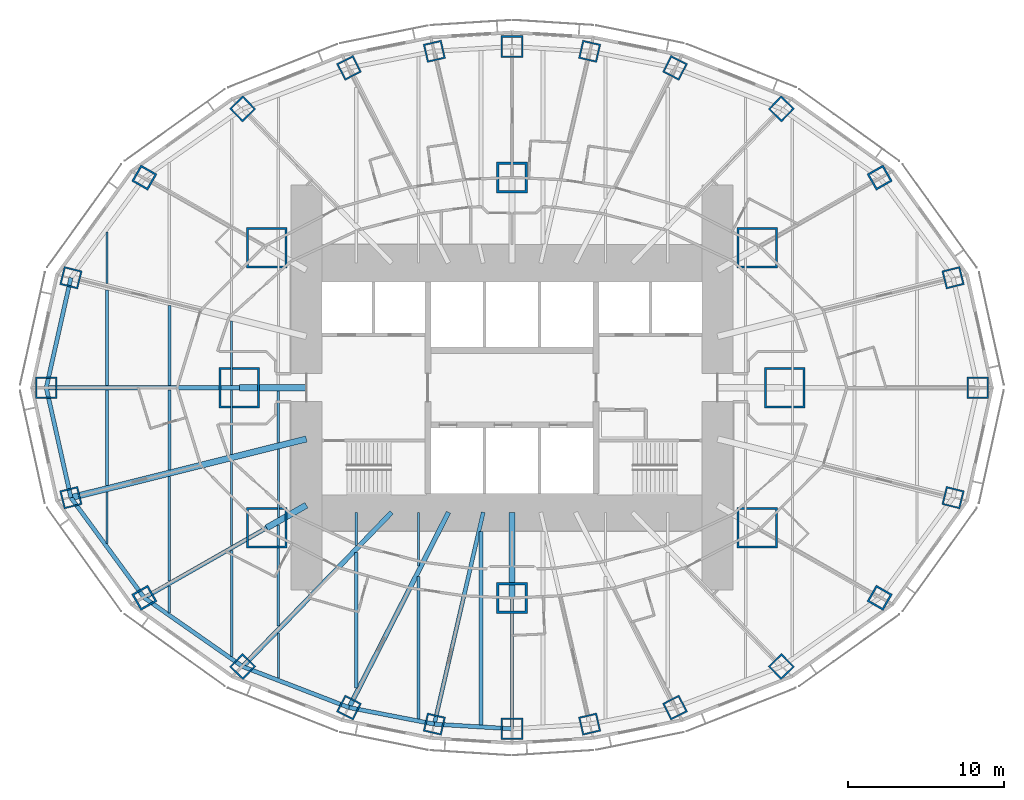
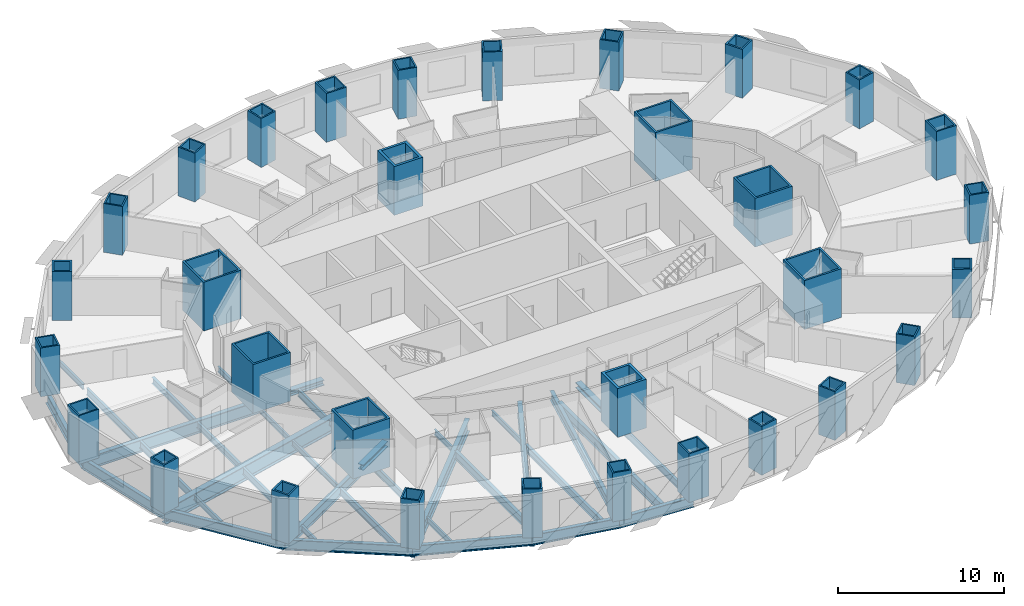
# One storey, part 1 of 15: 38 beams, 32 columns.
"""IFC4 building model written with IfcOpenShell, lengths in metres."""

from ifc_helpers import new_model, si_unit, direction, frame, origin, origin_2d, place, context, subcontext, project, spatial, rectangle, hollow_rectangle, i_section, extrude, material, material_profile, profile_set, type_object, element, save


model = new_model("IFC4")

# Units and contexts
model_context = context("Model", 3, precision=1e-05, world=origin(), true_north=direction((0.0, 1.0)))
body_context = subcontext(model_context, "Body", "Model", "MODEL_VIEW")
ifc_project = project(units=[si_unit("LENGTHUNIT", "METRE"), si_unit("AREAUNIT", "SQUARE_METRE"), si_unit("VOLUMEUNIT", "CUBIC_METRE"), si_unit("PLANEANGLEUNIT", "RADIAN"), si_unit("MASSUNIT", "GRAM", prefix="KILO")], contexts=[model_context])

# Site, building, storey
site_placement = place(None, origin())
site = spatial("IfcSite", under=ifc_project, at=site_placement, CompositionType="ELEMENT")
building_placement = place(site_placement, origin())
building = spatial("IfcBuilding", under=site, at=building_placement, Name="Lantaw Convention Tower", CompositionType="ELEMENT")
storey_placement = place(building_placement, frame((0.0, 0.0, 47.800048828125)))
storey = spatial("IfcBuildingStorey", under=building, at=storey_placement, Name="L09", CompositionType="ELEMENT", Elevation=47.800048828125)

# Columns
ifc_material_1 = material(Name="Steel EN 10025-3 S460N", Category="steel")
ifc_material_profile_1 = material_profile(ifc_material_1, hollow_rectangle(XDim=2.0, YDim=2.0, WallThickness=0.169921875, at=origin_2d()), Name="BOX2000X170")
ifc_material_2 = material(Name="Concrete C60/75", Category="concrete")
ifc_material_profile_2 = material_profile(ifc_material_2, rectangle(XDim=1.659912109375, YDim=1.659912109375, at=origin_2d()), Name="Concrete fill of BOX2000X170")
ifc_profile_set_1 = profile_set([ifc_material_profile_1, ifc_material_profile_2], Name="Steel EN 10025-3 S460N")
column_type_1 = type_object("IfcColumnType", Name="Column MC BOX2000X170", PredefinedType="COLUMN", material=ifc_profile_set_1)
for number, where, z_axis, x_axis, name in (
    (1, (0.0, 13.5, 0.0), (0.0, 0.0, 1.0), (1.0, 0.0, 0.0), "Mega column M3"),
    (2, (0.0, -13.5, 0.0), (0.0, 0.0, 1.0), (1.0, 0.0, 0.0), "Mega column M7"),
):
    element("IfcColumn", number, at=place(storey_placement, frame(where, z_axis=z_axis, x_axis=x_axis)), inside=storey, type_object=column_type_1, Name=name, PredefinedType="COLUMN", context=body_context, shape_type="SweptSolid", body=[
        extrude(hollow_rectangle(XDim=2.0, YDim=2.0, WallThickness=0.169921875, at=origin_2d()), origin(), (0.0, 0.0, 1.0), 3.599853515625),
    ])
ifc_material_profile_3 = material_profile(ifc_material_1, hollow_rectangle(XDim=2.60009765625, YDim=2.60009765625, WallThickness=0.1298828125, at=origin_2d()), Name="BOX2600X130")
ifc_material_profile_4 = material_profile(ifc_material_2, rectangle(XDim=2.340087890625, YDim=2.340087890625, at=origin_2d()), Name="Concrete fill of BOX2600X130")
ifc_profile_set_2 = profile_set([ifc_material_profile_3, ifc_material_profile_4], Name="Steel EN 10025-3 S460N")
column_type_2 = type_object("IfcColumnType", Name="Column MC BOX2600X130", PredefinedType="COLUMN", material=ifc_profile_set_2)
for number, where, z_axis, x_axis, name in (
    (3, (17.5, 0.0, 0.0), (0.0, 0.0, 1.0), (1.0, 0.0, 0.0), "Mega column M1"),
    (4, (15.75, 9.0, 0.0), (0.0, 0.0, 1.0), (1.0, 0.0, 0.0), "Mega column M2"),
    (5, (-15.75, 9.0, 0.0), (0.0, 0.0, 1.0), (1.0, 0.0, 0.0), "Mega column M4"),
    (6, (-17.5, 0.0, 0.0), (0.0, 0.0, 1.0), (1.0, 0.0, 0.0), "Mega column M5"),
    (7, (-15.75, -9.0, 0.0), (0.0, 0.0, 1.0), (1.0, 0.0, 0.0), "Mega column M6"),
    (8, (15.75, -9.0, 0.0), (0.0, 0.0, 1.0), (1.0, 0.0, 0.0), "Mega column M8"),
):
    element("IfcColumn", number, at=place(storey_placement, frame(where, z_axis=z_axis, x_axis=x_axis)), inside=storey, type_object=column_type_2, Name=name, PredefinedType="COLUMN", context=body_context, shape_type="SweptSolid", body=[
        extrude(hollow_rectangle(XDim=2.60009765625, YDim=2.60009765625, WallThickness=0.1298828125, at=origin_2d()), origin(), (0.0, 0.0, 1.0), 3.599853515625),
    ])
ifc_material_profile_5 = material_profile(ifc_material_1, hollow_rectangle(XDim=1.199951171875, YDim=1.199951171875, WallThickness=0.10009765625, at=origin_2d()), Name="BOX1200X100")
ifc_material_profile_6 = material_profile(ifc_material_2, rectangle(XDim=1.0, YDim=1.0, at=origin_2d()), Name="Concrete fill of BOX1200X100")
ifc_profile_set_3 = profile_set([ifc_material_profile_5, ifc_material_profile_6], Name="Steel EN 10025-3 S460N")
column_type_3 = type_object("IfcColumnType", Name="Column PC BOX1200X100", PredefinedType="COLUMN", material=ifc_profile_set_3)
for number, where, z_axis, x_axis, name in (
    (9, (28.31787109375, 7.060302734375, 0.0), (0.0, 0.0, 1.0), (0.970295726276, 0.2419218956, 0.0), "Perimeter column P2"),
    (10, (17.290771484375, 17.9052734375, 0.0), (0.0, 0.0, 1.0), (0.694658370459, 0.719339800339, 0.0), "Perimeter column P4"),
    (11, (10.462646484375, 20.533935546875, 0.0), (0.0, 0.0, 1.0), (0.45399049974, 0.891006524188, 0.0), "Perimeter column P5"),
    (12, (4.986328125, 21.59814453125, 0.0), (0.0, 0.0, 1.0), (0.224951054344, 0.974370064785, 0.0), "Perimeter column P6"),
    (13, (-4.986328125, 21.59814453125, 0.0), (0.0, 0.0, 1.0), (0.974370064785, 0.224951054344, 0.0), "Perimeter column P8"),
    (14, (-10.462646484375, 20.533935546875, 0.0), (0.0, 0.0, 1.0), (0.891006524188, 0.45399049974, 0.0), "Perimeter column P9"),
    (15, (-17.290771484375, 17.9052734375, 0.0), (0.0, 0.0, 1.0), (0.719339800339, 0.694658370459, 0.0), "Perimeter column P10"),
    (16, (-28.31787109375, 7.060302734375, 0.0), (0.0, 0.0, 1.0), (0.2419218956, 0.970295726276, 0.0), "Perimeter column P12"),
    (17, (-28.31787109375, -7.060302734375, 0.0), (0.0, 0.0, 1.0), (0.970295726276, 0.2419218956, 0.0), "Perimeter column P14"),
    (18, (-17.290771484375, -17.9052734375, 0.0), (0.0, 0.0, 1.0), (0.694658370459, 0.719339800339, 0.0), "Perimeter column P16"),
    (19, (-10.462646484375, -20.533935546875, 0.0), (0.0, 0.0, 1.0), (0.45399049974, 0.891006524188, 0.0), "Perimeter column P17"),
    (20, (-4.986328125, -21.59814453125, 0.0), (0.0, 0.0, 1.0), (0.224951054344, 0.974370064785, 0.0), "Perimeter column P18"),
    (21, (4.986328125, -21.59814453125, 0.0), (0.0, 0.0, 1.0), (0.974370064785, 0.224951054344, 0.0), "Perimeter column P20"),
    (22, (10.462646484375, -20.533935546875, 0.0), (0.0, 0.0, 1.0), (0.891006524188, 0.45399049974, 0.0), "Perimeter column P21"),
    (23, (17.290771484375, -17.9052734375, 0.0), (0.0, 0.0, 1.0), (0.719339800339, 0.694658370459, 0.0), "Perimeter column P22"),
    (24, (28.31787109375, -7.060302734375, 0.0), (0.0, 0.0, 1.0), (0.2419218956, 0.970295726276, 0.0), "Perimeter column P24"),
):
    element("IfcColumn", number, at=place(storey_placement, frame(where, z_axis=z_axis, x_axis=x_axis)), inside=storey, type_object=column_type_3, Name=name, PredefinedType="COLUMN", context=body_context, shape_type="SweptSolid", body=[
        extrude(hollow_rectangle(XDim=1.199951171875, YDim=1.199951171875, WallThickness=0.10009765625, at=origin_2d()), origin(), (0.0, 0.0, 1.0), 3.599853515625),
    ])
ifc_material_profile_7 = material_profile(ifc_material_1, hollow_rectangle(XDim=1.199951171875, YDim=1.199951171875, WallThickness=0.1201171875, at=origin_2d()), Name="BOX1200X120")
ifc_material_profile_8 = material_profile(ifc_material_2, rectangle(XDim=0.9599609375, YDim=0.9599609375, at=origin_2d()), Name="Concrete fill of BOX1200X120")
ifc_profile_set_4 = profile_set([ifc_material_profile_7, ifc_material_profile_8], Name="Steel EN 10025-3 S460N")
column_type_4 = type_object("IfcColumnType", Name="Column PC BOX1200X120", PredefinedType="COLUMN", material=ifc_profile_set_4)
for number, where, z_axis, x_axis, name in (
    (25, (23.60498046875, 13.488525390625, 0.0), (0.0, 0.0, 1.0), (0.86824298017, 0.496139221777, 0.0), "Perimeter column P3"),
    (26, (-23.60498046875, 13.488525390625, 0.0), (0.0, 0.0, 1.0), (0.496139221777, 0.86824298017, 0.0), "Perimeter column P11"),
    (27, (-23.60498046875, -13.488525390625, 0.0), (0.0, 0.0, 1.0), (0.86824298017, 0.496139221777, 0.0), "Perimeter column P15"),
    (28, (23.60498046875, -13.488525390625, 0.0), (0.0, 0.0, 1.0), (0.496139221777, 0.86824298017, 0.0), "Perimeter column P23"),
):
    element("IfcColumn", number, at=place(storey_placement, frame(where, z_axis=z_axis, x_axis=x_axis)), inside=storey, type_object=column_type_4, Name=name, PredefinedType="COLUMN", context=body_context, shape_type="SweptSolid", body=[
        extrude(hollow_rectangle(XDim=1.199951171875, YDim=1.199951171875, WallThickness=0.1201171875, at=origin_2d()), origin(), (0.0, 0.0, 1.0), 3.599853515625),
    ])
ifc_material_profile_9 = material_profile(ifc_material_1, hollow_rectangle(XDim=1.39990234375, YDim=1.39990234375, WallThickness=0.10009765625, at=origin_2d()), Name="BOX1400X100")
ifc_material_profile_10 = material_profile(ifc_material_2, rectangle(XDim=1.199951171875, YDim=1.199951171875, at=origin_2d()), Name="Concrete fill of BOX1400X100")
ifc_profile_set_5 = profile_set([ifc_material_profile_9, ifc_material_profile_10], Name="Steel EN 10025-3 S460N")
column_type_5 = type_object("IfcColumnType", Name="Column PC BOX1400X100", PredefinedType="COLUMN", material=ifc_profile_set_5)
for number, where, z_axis, x_axis, name in (
    (29, (29.89990234375, 0.0, 0.0), (0.0, 0.0, 1.0), (1.0, 0.0, 0.0), "Perimeter column P1"),
    (30, (0.0, 21.89990234375, 0.0), (0.0, 0.0, 1.0), (1.0, 0.0, 0.0), "Perimeter column P7"),
    (31, (-29.89990234375, 0.0, 0.0), (0.0, 0.0, 1.0), (1.0, 0.0, 0.0), "Perimeter column P13"),
    (32, (0.0, -21.89990234375, 0.0), (0.0, 0.0, 1.0), (1.0, 0.0, 0.0), "Perimeter column P19"),
):
    element("IfcColumn", number, at=place(storey_placement, frame(where, z_axis=z_axis, x_axis=x_axis)), inside=storey, type_object=column_type_5, Name=name, PredefinedType="COLUMN", context=body_context, shape_type="SweptSolid", body=[
        extrude(hollow_rectangle(XDim=1.39990234375, YDim=1.39990234375, WallThickness=0.10009765625, at=origin_2d()), origin(), (0.0, 0.0, 1.0), 3.599853515625),
    ])

# Beams
ifc_material_3 = material(Name="Steel ASTM A992", Category="steel")
ifc_material_profile_11 = material_profile(ifc_material_3, i_section(OverallWidth=0.2666015625, OverallDepth=0.76953125, WebThickness=0.015625, FlangeThickness=0.025390625, FilletRadius=0.0126953125, at=origin_2d()), Name="W30X132")
ifc_profile_set_6 = profile_set([ifc_material_profile_11], Name="Steel ASTM A992")
beam_type_1 = type_object("IfcBeamType", Name="Beam E W30X132", PredefinedType="SPANDREL", material=ifc_profile_set_6)
for number, where, z_axis, x_axis, name in (
    (33, (-28.31787109375, 7.060302734375, -0.534912109375), (-0.218652184873, -0.975802860239, 0.0), (0.975802860239, -0.218652184873, 0.0), "Edge beam 12"),
    (34, (-29.89990234375, 0.0, -0.534912109375), (0.218652184873, -0.975802860239, 0.0), (0.975802860239, 0.218652184873, 0.0), "Edge beam 13"),
):
    element("IfcBeam", number, at=place(storey_placement, frame(where, z_axis=z_axis, x_axis=x_axis)), inside=storey, type_object=beam_type_1, Name=name, PredefinedType="SPANDREL", context=body_context, shape_type="SweptSolid", body=[
        extrude(i_section(OverallWidth=0.2666015625, OverallDepth=0.76953125, WebThickness=0.015625, FlangeThickness=0.025390625, FilletRadius=0.0126953125, at=origin_2d()), origin(), (0.0, 0.0, 1.0), 7.2353515625),
    ])
beam_1_placement = place(storey_placement, frame((-28.31787109375, -7.060302734375, -0.534912109375), z_axis=(0.591270709086, -0.806473154281, 0.0), x_axis=(0.806473154281, 0.591270709086, 0.0)))
element("IfcBeam", 35, at=beam_1_placement, inside=storey, type_object=beam_type_1, Name="Edge beam 14", PredefinedType="SPANDREL", context=body_context, shape_type="SweptSolid", body=[
    extrude(i_section(OverallWidth=0.2666015625, OverallDepth=0.76953125, WebThickness=0.015625, FlangeThickness=0.025390625, FilletRadius=0.0126953125, at=origin_2d()), origin(), (0.0, 0.0, 1.0), 7.970703125),
])
beam_2_placement = place(storey_placement, frame((-23.60498046875, -13.488525390625, -0.534912109375), z_axis=(0.81942686407, -0.57318375277, 0.0), x_axis=(0.57318375277, 0.81942686407, 0.0)))
element("IfcBeam", 36, at=beam_2_placement, inside=storey, type_object=beam_type_1, Name="Edge beam 15", PredefinedType="SPANDREL", context=body_context, shape_type="SweptSolid", body=[
    extrude(i_section(OverallWidth=0.2666015625, OverallDepth=0.76953125, WebThickness=0.015625, FlangeThickness=0.025390625, FilletRadius=0.0126953125, at=origin_2d()), origin(), (0.0, 0.0, 1.0), 7.70556640625),
])
beam_3_placement = place(storey_placement, frame((-17.290771484375, -17.9052734375, -0.534912109375), z_axis=(0.933232900641, -0.359271976588, 0.0), x_axis=(0.359271976588, 0.933232900641, 0.0)))
element("IfcBeam", 37, at=beam_3_placement, inside=storey, type_object=beam_type_1, Name="Edge beam 16", PredefinedType="SPANDREL", context=body_context, shape_type="SweptSolid", body=[
    extrude(i_section(OverallWidth=0.2666015625, OverallDepth=0.76953125, WebThickness=0.015625, FlangeThickness=0.025390625, FilletRadius=0.0126953125, at=origin_2d()), origin(), (0.0, 0.0, 1.0), 7.316650390625),
])
beam_4_placement = place(storey_placement, frame((-10.462646484375, -20.533935546875, -0.534912109375), z_axis=(0.981636565323, -0.190760723474, 0.0), x_axis=(0.190760723474, 0.981636565323, 0.0)))
element("IfcBeam", 38, at=beam_4_placement, inside=storey, type_object=beam_type_1, Name="Edge beam 17", PredefinedType="SPANDREL", context=body_context, shape_type="SweptSolid", body=[
    extrude(i_section(OverallWidth=0.2666015625, OverallDepth=0.76953125, WebThickness=0.015625, FlangeThickness=0.025390625, FilletRadius=0.0126953125, at=origin_2d()), origin(), (0.0, 0.0, 1.0), 5.578857421875),
])
beam_5_placement = place(storey_placement, frame((-4.986328125, -21.59814453125, -0.534912109375), z_axis=(0.998173858406, -0.060406526096, 0.0), x_axis=(0.060406526096, 0.998173858406, 0.0)))
element("IfcBeam", 39, at=beam_5_placement, inside=storey, type_object=beam_type_1, Name="Edge beam 18", PredefinedType="SPANDREL", context=body_context, shape_type="SweptSolid", body=[
    extrude(i_section(OverallWidth=0.2666015625, OverallDepth=0.76953125, WebThickness=0.015625, FlangeThickness=0.025390625, FilletRadius=0.0126953125, at=origin_2d()), origin(), (0.0, 0.0, 1.0), 4.995361328125),
])
ifc_material_profile_12 = material_profile(ifc_material_3, i_section(OverallWidth=0.1650390625, OverallDepth=0.52587890625, WebThickness=0.0087890625, FlangeThickness=0.011474609375, FilletRadius=0.0126953125, at=origin_2d()), Name="W21X44")
ifc_profile_set_7 = profile_set([ifc_material_profile_12], Name="Steel ASTM A992")
beam_type_2 = type_object("IfcBeamType", Name="Beam G W21X44", PredefinedType="BEAM", material=ifc_profile_set_7)
beam_6_placement = place(storey_placement, frame((0.0, -13.5, -0.412841796875), z_axis=(0.0, -1.0, 0.0), x_axis=(1.0, 0.0, 0.0)))
element("IfcBeam", 40, at=beam_6_placement, inside=storey, type_object=beam_type_2, Name="Floor girder on ray 19", PredefinedType="BEAM", context=body_context, shape_type="SweptSolid", body=[
    extrude(i_section(OverallWidth=0.1650390625, OverallDepth=0.52587890625, WebThickness=0.0087890625, FlangeThickness=0.011474609375, FilletRadius=0.0126953125, at=origin_2d()), origin(), (0.0, 0.0, 1.0), 8.39990234375),
])
ifc_material_profile_13 = material_profile(ifc_material_3, i_section(OverallWidth=0.25390625, OverallDepth=0.683349609375, WebThickness=0.012451171875, FlangeThickness=0.01904296875, FilletRadius=0.01513671875, at=origin_2d()), Name="W27X94")
ifc_profile_set_8 = profile_set([ifc_material_profile_13], Name="Steel ASTM A992")
beam_type_3 = type_object("IfcBeamType", Name="Beam G W27X94", PredefinedType="BEAM", material=ifc_profile_set_8)
beam_7_placement = place(storey_placement, frame((-1.846923828125, -8.0, -0.49169921875), z_axis=(-0.224952773175, -0.97436966796, 0.0), x_axis=(0.97436966796, -0.224952773175, 0.0)))
element("IfcBeam", 41, at=beam_7_placement, inside=storey, type_object=beam_type_3, Name="Floor girder on ray 18", PredefinedType="BEAM", context=body_context, shape_type="SweptSolid", body=[
    extrude(i_section(OverallWidth=0.25390625, OverallDepth=0.683349609375, WebThickness=0.012451171875, FlangeThickness=0.01904296875, FilletRadius=0.01513671875, at=origin_2d()), origin(), (0.0, 0.0, 1.0), 13.955810546875),
])
ifc_material_profile_14 = material_profile(ifc_material_3, i_section(OverallWidth=0.2666015625, OverallDepth=0.7568359375, WebThickness=0.013916015625, FlangeThickness=0.019287109375, FilletRadius=0.0126953125, at=origin_2d()), Name="W30X108")
ifc_profile_set_9 = profile_set([ifc_material_profile_14], Name="Steel ASTM A992")
beam_type_4 = type_object("IfcBeamType", Name="Beam G W30X108", PredefinedType="BEAM", material=ifc_profile_set_9)
beam_8_placement = place(storey_placement, frame((-15.75, -9.0, -0.528564453125), z_axis=(-0.868244802791, -0.496136032179, 0.0), x_axis=(0.496136032179, -0.868244802791, 0.0)))
element("IfcBeam", 42, at=beam_8_placement, inside=storey, type_object=beam_type_4, Name="Floor girder on ray 15", PredefinedType="BEAM", context=body_context, shape_type="SweptSolid", body=[
    extrude(i_section(OverallWidth=0.2666015625, OverallDepth=0.7568359375, WebThickness=0.013916015625, FlangeThickness=0.019287109375, FilletRadius=0.0126953125, at=origin_2d()), origin(), (0.0, 0.0, 1.0), 9.046875),
])
ifc_material_profile_15 = material_profile(ifc_material_3, i_section(OverallWidth=0.307373046875, OverallDepth=0.922119140625, WebThickness=0.018310546875, FlangeThickness=0.030029296875, FilletRadius=0.0126953125, at=origin_2d()), Name="W36X182")
ifc_profile_set_10 = profile_set([ifc_material_profile_15], Name="Steel ASTM A992")
beam_type_5 = type_object("IfcBeamType", Name="Beam G W36X182", PredefinedType="BEAM", material=ifc_profile_set_10)
beam_9_placement = place(storey_placement, frame((-17.5, 0.0, -0.611083984375), z_axis=(-1.0, 0.0, 0.0), x_axis=(0.0, -1.0, 0.0)))
element("IfcBeam", 43, at=beam_9_placement, inside=storey, type_object=beam_type_5, Name="Floor girder on ray 13", PredefinedType="BEAM", context=body_context, shape_type="SweptSolid", body=[
    extrude(i_section(OverallWidth=0.307373046875, OverallDepth=0.922119140625, WebThickness=0.018310546875, FlangeThickness=0.030029296875, FilletRadius=0.0126953125, at=origin_2d()), origin(), (0.0, 0.0, 1.0), 12.39990234375),
])
beam_10_placement = place(storey_placement, frame((-7.7255859375, -8.0, -0.611083984375), z_axis=(-0.694649884291, -0.719347995239, 0.0), x_axis=(0.719347995239, -0.694649884291, 0.0)))
element("IfcBeam", 44, at=beam_10_placement, inside=storey, type_object=beam_type_5, Name="Floor girder on ray 16", PredefinedType="BEAM", context=body_context, shape_type="SweptSolid", body=[
    extrude(i_section(OverallWidth=0.307373046875, OverallDepth=0.922119140625, WebThickness=0.018310546875, FlangeThickness=0.030029296875, FilletRadius=0.0126953125, at=origin_2d()), origin(), (0.0, 0.0, 1.0), 13.769775390625),
])
beam_11_placement = place(storey_placement, frame((-4.076171875, -8.0, -0.611083984375), z_axis=(-0.453997016122, -0.891003203896, 0.0), x_axis=(0.891003203896, -0.453997016122, 0.0)))
element("IfcBeam", 45, at=beam_11_placement, inside=storey, type_object=beam_type_5, Name="Floor girder on ray 17", PredefinedType="BEAM", context=body_context, shape_type="SweptSolid", body=[
    extrude(i_section(OverallWidth=0.307373046875, OverallDepth=0.922119140625, WebThickness=0.018310546875, FlangeThickness=0.030029296875, FilletRadius=0.0126953125, at=origin_2d()), origin(), (0.0, 0.0, 1.0), 14.067138671875),
])
ifc_material_profile_16 = material_profile(ifc_material_3, i_section(OverallWidth=0.40380859375, OverallDepth=1.11767578125, WebThickness=0.026123046875, FlangeThickness=0.044921875, FilletRadius=0.02001953125, at=origin_2d()), Name="W44X335")
ifc_profile_set_11 = profile_set([ifc_material_profile_16], Name="Steel ASTM A992")
beam_type_6 = type_object("IfcBeamType", Name="Beam G W44X335", PredefinedType="BEAM", material=ifc_profile_set_11)
beam_12_placement = place(storey_placement, frame((-13.199951171875, -3.291015625, -0.708740234375), z_axis=(-0.970296233567, -0.241919860957, 0.0), x_axis=(0.241919860957, -0.970296233567, 0.0)))
element("IfcBeam", 46, at=beam_12_placement, inside=storey, type_object=beam_type_6, Name="Floor girder on ray 14", PredefinedType="BEAM", context=body_context, shape_type="SweptSolid", body=[
    extrude(i_section(OverallWidth=0.40380859375, OverallDepth=1.11767578125, WebThickness=0.026123046875, FlangeThickness=0.044921875, FilletRadius=0.02001953125, at=origin_2d()), origin(), (0.0, 0.0, 1.0), 15.580810546875),
])
ifc_material_profile_17 = material_profile(ifc_material_3, i_section(OverallWidth=0.40380859375, OverallDepth=0.406494140625, WebThickness=0.027099609375, FlangeThickness=0.043701171875, FilletRadius=0.01513671875, at=origin_2d()), Name="W14X233")
ifc_profile_set_12 = profile_set([ifc_material_profile_17], Name="Steel ASTM A992")
beam_type_7 = type_object("IfcBeamType", Name="Beam GM W14X233", PredefinedType="BEAM", material=ifc_profile_set_12)
beam_13_placement = place(storey_placement, frame((-13.199951171875, 0.0, -0.353271484375), z_axis=(-1.0, 0.0, 0.0), x_axis=(0.0, -1.0, 0.0)))
element("IfcBeam", 47, at=beam_13_placement, inside=storey, type_object=beam_type_7, Name="Core link beam on ray 13", PredefinedType="BEAM", context=body_context, shape_type="SweptSolid", body=[
    extrude(i_section(OverallWidth=0.40380859375, OverallDepth=0.406494140625, WebThickness=0.027099609375, FlangeThickness=0.043701171875, FilletRadius=0.01513671875, at=origin_2d()), origin(), (0.0, 0.0, 1.0), 4.300048828125),
])
beam_14_placement = place(storey_placement, frame((-13.199951171875, -7.54296875, -0.353271484375), z_axis=(-0.868263603466, -0.496103129295, 0.0), x_axis=(0.496103129295, -0.868263603466, 0.0)))
element("IfcBeam", 48, at=beam_14_placement, inside=storey, type_object=beam_type_7, Name="Core link beam on ray 15", PredefinedType="BEAM", context=body_context, shape_type="SweptSolid", body=[
    extrude(i_section(OverallWidth=0.40380859375, OverallDepth=0.406494140625, WebThickness=0.027099609375, FlangeThickness=0.043701171875, FilletRadius=0.01513671875, at=origin_2d()), origin(), (0.0, 0.0, 1.0), 2.93701171875),
])
beam_15_placement = place(storey_placement, frame((0.0, -8.0, -0.353271484375), z_axis=(0.0, -1.0, 0.0), x_axis=(1.0, 0.0, 0.0)))
element("IfcBeam", 49, at=beam_15_placement, inside=storey, type_object=beam_type_7, Name="Core link beam on ray 19", PredefinedType="BEAM", context=body_context, shape_type="SweptSolid", body=[
    extrude(i_section(OverallWidth=0.40380859375, OverallDepth=0.406494140625, WebThickness=0.027099609375, FlangeThickness=0.043701171875, FilletRadius=0.01513671875, at=origin_2d()), origin(), (0.0, 0.0, 1.0), 5.5),
])
ifc_material_profile_18 = material_profile(ifc_material_3, i_section(OverallWidth=0.140380859375, OverallDepth=0.40380859375, WebThickness=0.007080078125, FlangeThickness=0.01123046875, FilletRadius=0.01025390625, at=origin_2d()), Name="W16X31")
ifc_profile_set_13 = profile_set([ifc_material_profile_18], Name="Steel ASTM A992")
beam_type_8 = type_object("IfcBeamType", Name="Beam J W16X31", PredefinedType="JOIST", material=ifc_profile_set_13)
for number, where, z_axis, x_axis, name in (
    (50, (-26.0, -9.996337890625, -0.35205078125), (0.0, 1.0, 0.0), (-1.0, 0.0, 0.0), "Floor joist"),
    (51, (-26.0, 6.690673828125, -0.35205078125), (0.0, 1.0, 0.0), (-1.0, 0.0, 0.0), "Floor joist"),
):
    element("IfcBeam", number, at=place(storey_placement, frame(where, z_axis=z_axis, x_axis=x_axis)), inside=storey, type_object=beam_type_8, Name=name, PredefinedType="JOIST", context=body_context, shape_type="SweptSolid", body=[
        extrude(i_section(OverallWidth=0.140380859375, OverallDepth=0.40380859375, WebThickness=0.007080078125, FlangeThickness=0.01123046875, FilletRadius=0.01025390625, at=origin_2d()), origin(), (0.0, 0.0, 1.0), 3.3056640625),
    ])
beam_16_placement = place(storey_placement, frame((-22.0, -14.448486328125, -0.35205078125), z_axis=(0.0, 1.0, 0.0), x_axis=(-1.0, 0.0, 0.0)))
element("IfcBeam", 52, at=beam_16_placement, inside=storey, type_object=beam_type_8, Name="Floor joist", PredefinedType="JOIST", context=body_context, shape_type="SweptSolid", body=[
    extrude(i_section(OverallWidth=0.140380859375, OverallDepth=0.40380859375, WebThickness=0.007080078125, FlangeThickness=0.01123046875, FilletRadius=0.01025390625, at=origin_2d()), origin(), (0.0, 0.0, 1.0), 1.723388671875),
])
beam_17_placement = place(storey_placement, frame((-18.0, -10.132080078125, -0.35205078125), z_axis=(0.0, 1.0, 0.0), x_axis=(-1.0, 0.0, 0.0)))
element("IfcBeam", 53, at=beam_17_placement, inside=storey, type_object=beam_type_8, Name="Floor joist", PredefinedType="JOIST", context=body_context, shape_type="SweptSolid", body=[
    extrude(i_section(OverallWidth=0.140380859375, OverallDepth=0.40380859375, WebThickness=0.007080078125, FlangeThickness=0.01123046875, FilletRadius=0.01025390625, at=origin_2d()), origin(), (0.0, 0.0, 1.0), 5.43603515625),
])
for number, where, z_axis, x_axis, name in (
    (54, (-18.0, -4.27978515625, -0.35205078125), (0.0, 1.0, 0.0), (-1.0, 0.0, 0.0), "Floor joist"),
    (55, (-18.0, 0.153564453125, -0.35205078125), (0.0, 1.0, 0.0), (-1.0, 0.0, 0.0), "Floor joist"),
):
    element("IfcBeam", number, at=place(storey_placement, frame(where, z_axis=z_axis, x_axis=x_axis)), inside=storey, type_object=beam_type_8, Name=name, PredefinedType="JOIST", context=body_context, shape_type="SweptSolid", body=[
        extrude(i_section(OverallWidth=0.140380859375, OverallDepth=0.40380859375, WebThickness=0.007080078125, FlangeThickness=0.01123046875, FilletRadius=0.01025390625, at=origin_2d()), origin(), (0.0, 0.0, 1.0), 4.126220703125),
    ])
beam_18_placement = place(storey_placement, frame((-15.0, -18.644287109375, -0.35205078125), z_axis=(0.0, 1.0, 0.0), x_axis=(-1.0, 0.0, 0.0)))
element("IfcBeam", 56, at=beam_18_placement, inside=storey, type_object=beam_type_8, Name="Floor joist", PredefinedType="JOIST", context=body_context, shape_type="SweptSolid", body=[
    extrude(i_section(OverallWidth=0.140380859375, OverallDepth=0.40380859375, WebThickness=0.007080078125, FlangeThickness=0.01123046875, FilletRadius=0.01025390625, at=origin_2d()), origin(), (0.0, 0.0, 1.0), 2.89013671875),
])
beam_19_placement = place(storey_placement, frame((-15.0, -8.3388671875, -0.35205078125), z_axis=(0.0, 1.0, 0.0), x_axis=(-1.0, 0.0, 0.0)))
element("IfcBeam", 57, at=beam_19_placement, inside=storey, type_object=beam_type_8, Name="Floor joist", PredefinedType="JOIST", context=body_context, shape_type="SweptSolid", body=[
    extrude(i_section(OverallWidth=0.140380859375, OverallDepth=0.40380859375, WebThickness=0.007080078125, FlangeThickness=0.01123046875, FilletRadius=0.01025390625, at=origin_2d()), origin(), (0.0, 0.0, 1.0), 4.390869140625),
])
beam_20_placement = place(storey_placement, frame((-10.0, -10.134033203125, -0.35205078125), z_axis=(0.0, 1.0, 0.0), x_axis=(-1.0, 0.0, 0.0)))
element("IfcBeam", 58, at=beam_20_placement, inside=storey, type_object=beam_type_8, Name="Floor joist", PredefinedType="JOIST", context=body_context, shape_type="SweptSolid", body=[
    extrude(i_section(OverallWidth=0.140380859375, OverallDepth=0.40380859375, WebThickness=0.007080078125, FlangeThickness=0.01123046875, FilletRadius=0.01025390625, at=origin_2d()), origin(), (0.0, 0.0, 1.0), 2.134033203125),
])
beam_21_placement = place(storey_placement, frame((-6.0, -11.437255859375, -0.35205078125), z_axis=(0.0, 1.0, 0.0), x_axis=(-1.0, 0.0, 0.0)))
element("IfcBeam", 59, at=beam_21_placement, inside=storey, type_object=beam_type_8, Name="Floor joist", PredefinedType="JOIST", context=body_context, shape_type="SweptSolid", body=[
    extrude(i_section(OverallWidth=0.140380859375, OverallDepth=0.40380859375, WebThickness=0.007080078125, FlangeThickness=0.01123046875, FilletRadius=0.01025390625, at=origin_2d()), origin(), (0.0, 0.0, 1.0), 3.437255859375),
])
ifc_material_profile_19 = material_profile(ifc_material_3, i_section(OverallWidth=0.1904296875, OverallDepth=0.457275390625, WebThickness=0.009033203125, FlangeThickness=0.014404296875, FilletRadius=0.01025390625, at=origin_2d()), Name="W18X50")
ifc_profile_set_14 = profile_set([ifc_material_profile_19], Name="Steel ASTM A992")
beam_type_9 = type_object("IfcBeamType", Name="Beam J W18X50", PredefinedType="JOIST", material=ifc_profile_set_14)
for number, where, z_axis, x_axis, name in (
    (60, (-22.0, -5.277099609375, -0.378662109375), (0.0, 1.0, 0.0), (-1.0, 0.0, 0.0), "Floor joist"),
    (61, (-22.0, 0.153564453125, -0.378662109375), (0.0, 1.0, 0.0), (-1.0, 0.0, 0.0), "Floor joist"),
):
    element("IfcBeam", number, at=place(storey_placement, frame(where, z_axis=z_axis, x_axis=x_axis)), inside=storey, type_object=beam_type_9, Name=name, PredefinedType="JOIST", context=body_context, shape_type="SweptSolid", body=[
        extrude(i_section(OverallWidth=0.1904296875, OverallDepth=0.457275390625, WebThickness=0.009033203125, FlangeThickness=0.014404296875, FilletRadius=0.01025390625, at=origin_2d()), origin(), (0.0, 0.0, 1.0), 5.12353515625),
    ])
ifc_material_profile_20 = material_profile(ifc_material_3, i_section(OverallWidth=0.1650390625, OverallDepth=0.52587890625, WebThickness=0.0087890625, FlangeThickness=0.011474609375, FilletRadius=0.0126953125, at=origin_2d()), Name="W21X44")
ifc_profile_set_15 = profile_set([ifc_material_profile_20], Name="Steel ASTM A992")
beam_type_10 = type_object("IfcBeamType", Name="Beam J W21X44", PredefinedType="JOIST", material=ifc_profile_set_15)
beam_22_placement = place(storey_placement, frame((-22.0, -12.41796875, -0.412841796875), z_axis=(0.0, 1.0, 0.0), x_axis=(-1.0, 0.0, 0.0)))
element("IfcBeam", 62, at=beam_22_placement, inside=storey, type_object=beam_type_10, Name="Floor joist", PredefinedType="JOIST", context=body_context, shape_type="SweptSolid", body=[
    extrude(i_section(OverallWidth=0.1650390625, OverallDepth=0.52587890625, WebThickness=0.0087890625, FlangeThickness=0.011474609375, FilletRadius=0.0126953125, at=origin_2d()), origin(), (0.0, 0.0, 1.0), 6.724609375),
])
beam_23_placement = place(storey_placement, frame((-18.0, -17.246337890625, -0.412841796875), z_axis=(0.0, 1.0, 0.0), x_axis=(-1.0, 0.0, 0.0)))
element("IfcBeam", 63, at=beam_23_placement, inside=storey, type_object=beam_type_10, Name="Floor joist", PredefinedType="JOIST", context=body_context, shape_type="SweptSolid", body=[
    extrude(i_section(OverallWidth=0.1650390625, OverallDepth=0.52587890625, WebThickness=0.0087890625, FlangeThickness=0.011474609375, FilletRadius=0.0126953125, at=origin_2d()), origin(), (0.0, 0.0, 1.0), 6.80712890625),
])
beam_24_placement = place(storey_placement, frame((-15.0, -15.311767578125, -0.412841796875), z_axis=(0.0, 1.0, 0.0), x_axis=(-1.0, 0.0, 0.0)))
element("IfcBeam", 64, at=beam_24_placement, inside=storey, type_object=beam_type_10, Name="Floor joist", PredefinedType="JOIST", context=body_context, shape_type="SweptSolid", body=[
    extrude(i_section(OverallWidth=0.1650390625, OverallDepth=0.52587890625, WebThickness=0.0087890625, FlangeThickness=0.011474609375, FilletRadius=0.0126953125, at=origin_2d()), origin(), (0.0, 0.0, 1.0), 6.5078125),
])
ifc_material_profile_21 = material_profile(ifc_material_3, i_section(OverallWidth=0.165771484375, OverallDepth=0.5283203125, WebThickness=0.009765625, FlangeThickness=0.013671875, FilletRadius=0.012939453125, at=origin_2d()), Name="W21X50")
ifc_profile_set_16 = profile_set([ifc_material_profile_21], Name="Steel ASTM A992")
beam_type_11 = type_object("IfcBeamType", Name="Beam J W21X50", PredefinedType="JOIST", material=ifc_profile_set_16)
for number, where, z_axis, x_axis, name in (
    (65, (-26.0, -6.2744140625, -0.414306640625), (0.0, 1.0, 0.0), (-1.0, 0.0, 0.0), "Floor joist"),
    (66, (-26.0, 0.153564453125, -0.414306640625), (0.0, 1.0, 0.0), (-1.0, 0.0, 0.0), "Floor joist"),
):
    element("IfcBeam", number, at=place(storey_placement, frame(where, z_axis=z_axis, x_axis=x_axis)), inside=storey, type_object=beam_type_11, Name=name, PredefinedType="JOIST", context=body_context, shape_type="SweptSolid", body=[
        extrude(i_section(OverallWidth=0.165771484375, OverallDepth=0.5283203125, WebThickness=0.009765625, FlangeThickness=0.013671875, FilletRadius=0.012939453125, at=origin_2d()), origin(), (0.0, 0.0, 1.0), 6.120849609375),
    ])
beam_25_placement = place(storey_placement, frame((-15.0, -3.53173828125, -0.414306640625), z_axis=(0.0, 1.0, 0.0), x_axis=(-1.0, 0.0, 0.0)))
element("IfcBeam", 67, at=beam_25_placement, inside=storey, type_object=beam_type_11, Name="Floor joist", PredefinedType="JOIST", context=body_context, shape_type="SweptSolid", body=[
    extrude(i_section(OverallWidth=0.165771484375, OverallDepth=0.5283203125, WebThickness=0.009765625, FlangeThickness=0.013671875, FilletRadius=0.012939453125, at=origin_2d()), origin(), (0.0, 0.0, 1.0), 3.329833984375),
])
ifc_material_profile_22 = material_profile(ifc_material_3, i_section(OverallWidth=0.2099609375, OverallDepth=0.535888671875, WebThickness=0.010986328125, FlangeThickness=0.017333984375, FilletRadius=0.012939453125, at=origin_2d()), Name="W21X68")
ifc_profile_set_17 = profile_set([ifc_material_profile_22], Name="Steel ASTM A992")
beam_type_12 = type_object("IfcBeamType", Name="Beam J W21X68", PredefinedType="JOIST", material=ifc_profile_set_17)
beam_26_placement = place(storey_placement, frame((-6.0, -21.26513671875, -0.41796875), z_axis=(0.0, 1.0, 0.0), x_axis=(-1.0, 0.0, 0.0)))
element("IfcBeam", 68, at=beam_26_placement, inside=storey, type_object=beam_type_12, Name="Floor joist", PredefinedType="JOIST", context=body_context, shape_type="SweptSolid", body=[
    extrude(i_section(OverallWidth=0.2099609375, OverallDepth=0.535888671875, WebThickness=0.010986328125, FlangeThickness=0.017333984375, FilletRadius=0.012939453125, at=origin_2d()), origin(), (0.0, 0.0, 1.0), 9.15087890625),
])
ifc_material_profile_23 = material_profile(ifc_material_3, i_section(OverallWidth=0.227783203125, OverallDepth=0.60205078125, WebThickness=0.010498046875, FlangeThickness=0.014892578125, FilletRadius=0.012939453125, at=origin_2d()), Name="W24X68")
ifc_profile_set_18 = profile_set([ifc_material_profile_23], Name="Steel ASTM A992")
beam_type_13 = type_object("IfcBeamType", Name="Beam J W24X68", PredefinedType="JOIST", material=ifc_profile_set_18)
beam_27_placement = place(storey_placement, frame((-10.0, -19.28759765625, -0.450927734375), z_axis=(0.0, 1.0, 0.0), x_axis=(-1.0, 0.0, 0.0)))
element("IfcBeam", 69, at=beam_27_placement, inside=storey, type_object=beam_type_13, Name="Floor joist", PredefinedType="JOIST", context=body_context, shape_type="SweptSolid", body=[
    extrude(i_section(OverallWidth=0.227783203125, OverallDepth=0.60205078125, WebThickness=0.010498046875, FlangeThickness=0.014892578125, FilletRadius=0.012939453125, at=origin_2d()), origin(), (0.0, 0.0, 1.0), 8.711181640625),
])
ifc_material_profile_24 = material_profile(ifc_material_3, i_section(OverallWidth=0.25390625, OverallDepth=0.700927734375, WebThickness=0.015380859375, FlangeThickness=0.02783203125, FilletRadius=0.01513671875, at=origin_2d()), Name="W27X129")
ifc_profile_set_19 = profile_set([ifc_material_profile_24], Name="Steel ASTM A992")
beam_type_14 = type_object("IfcBeamType", Name="Beam J W27X129", PredefinedType="JOIST", material=ifc_profile_set_19)
beam_28_placement = place(storey_placement, frame((-2.0, -21.645263671875, -0.50048828125), z_axis=(0.0, 1.0, 0.0), x_axis=(-1.0, 0.0, 0.0)))
element("IfcBeam", 70, at=beam_28_placement, inside=storey, type_object=beam_type_14, Name="Floor joist", PredefinedType="JOIST", context=body_context, shape_type="SweptSolid", body=[
    extrude(i_section(OverallWidth=0.25390625, OverallDepth=0.700927734375, WebThickness=0.015380859375, FlangeThickness=0.02783203125, FilletRadius=0.01513671875, at=origin_2d()), origin(), (0.0, 0.0, 1.0), 12.417724609375),
])

save(model, "model.ifc")
